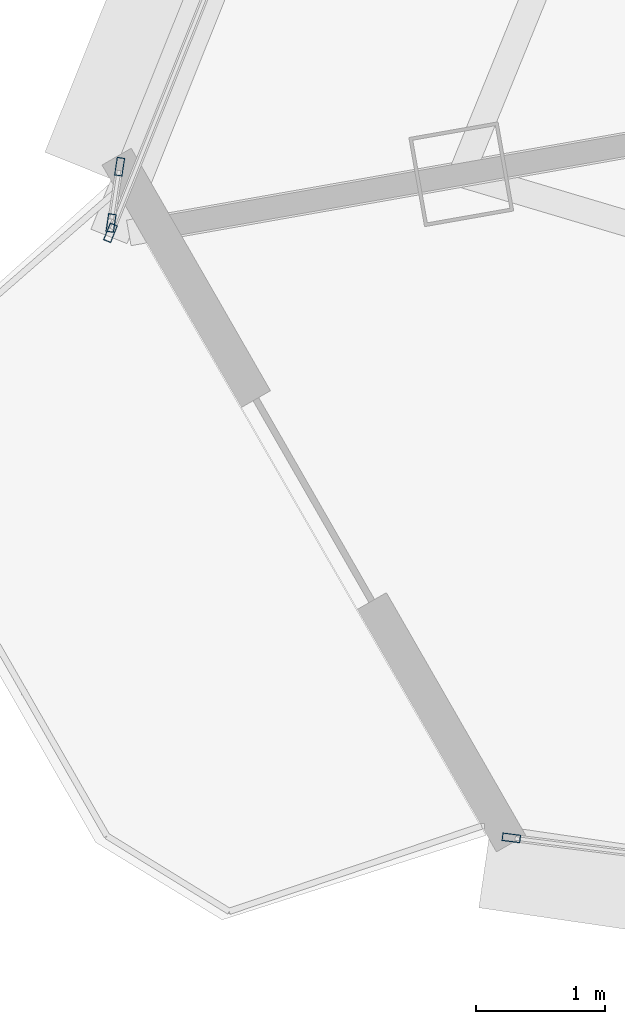
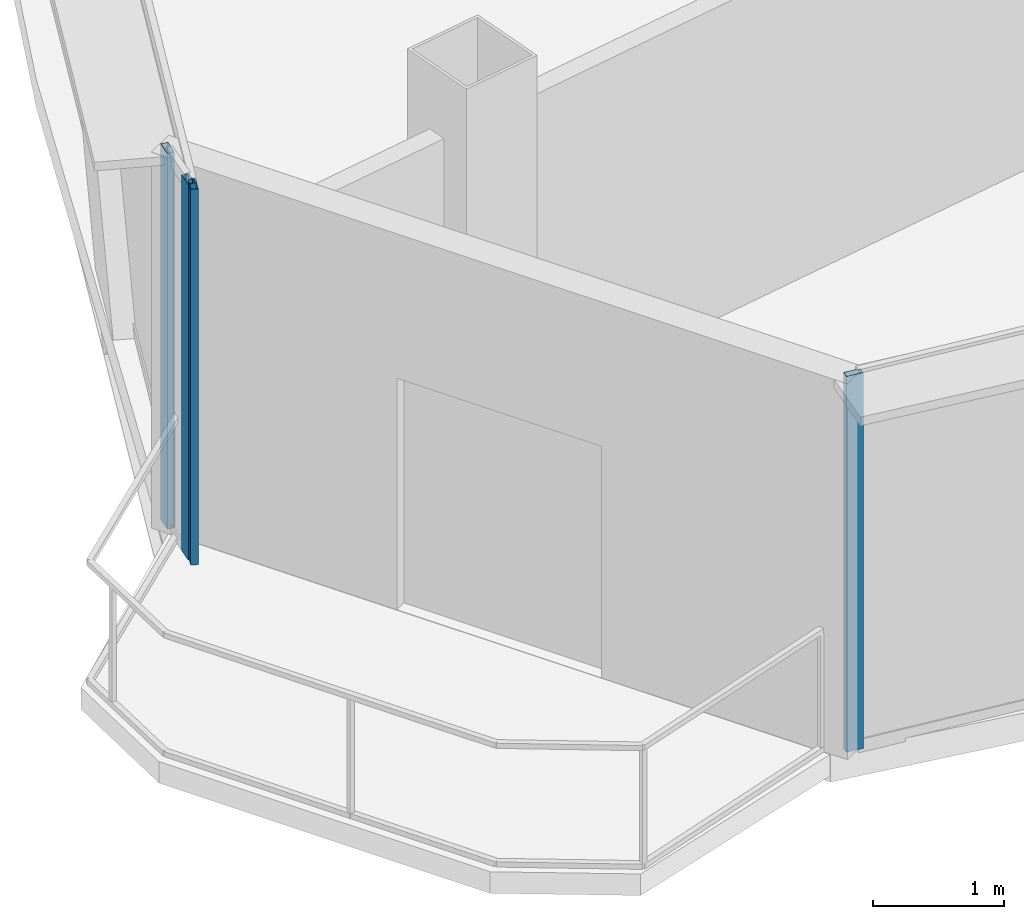
# One storey, part 2 of 30: 4 members, 3 elements without a shape of their own.
"""IFC4 building model written with IfcOpenShell, lengths in metres."""

import ifcopenshell
import ifcopenshell.guid

model = None  # the IFC model being written
_history = None  # IfcOwnerHistory: only IFC2X3 demands one
_inside = {}  # id of a spatial element -> (the spatial element, [elements in it])
_under = {}  # id of a project, library or spatial element -> (it, [spatial elements below it])
_declared = {}  # id of a project -> (the project, [libraries it declares])
_typed = {}  # id of a type object -> (the type object, [elements of that type])
_made_of = {}  # id of a material, layer set ... -> (it, [elements and type objects made of it])


def new_model(schema):
    """Start an empty IFC model of exactly this schema.

    Asked for "IFC4X3", IfcOpenShell would pick the latest addendum, in which some entities
    have other attributes; the version numbers below select the first issue.
    IFC2X3 requires an IfcOwnerHistory on every rooted entity: one is made here for all.
    """
    global model, _history
    if schema == "IFC4X3":
        model = ifcopenshell.file(schema_version=(4, 3, 0, 0))
    else:
        model = ifcopenshell.file(schema=schema)
    _inside.clear()
    _under.clear()
    _declared.clear()
    _typed.clear()
    _made_of.clear()
    _history = None
    if model.schema == "IFC2X3":
        org = make("IfcOrganization", Name="unknown")
        user = make(
            "IfcPersonAndOrganization",
            ThePerson=make("IfcPerson", FamilyName="unknown"),
            TheOrganization=org,
        )
        app = make(
            "IfcApplication",
            ApplicationDeveloper=org,
            Version="unknown",
            ApplicationFullName="unknown",
            ApplicationIdentifier="unknown",
        )
        _history = make(
            "IfcOwnerHistory",
            OwningUser=user,
            OwningApplication=app,
            ChangeAction="ADDED",
            CreationDate=0,
        )
    return model


def make(cls, **values):
    """One entity of the class cls with the attributes given. An attribute that is None is left unset."""
    return model.create_entity(
        cls, **{name: value for name, value in values.items() if value is not None}
    )


def rooted(cls, **values):
    """An entity with a GlobalId (a new one), such as an element, a storey or a relation."""
    return make(cls, GlobalId=ifcopenshell.guid.new(), OwnerHistory=_history, **values)


def si_unit(unit_type, name, prefix=None):
    """IfcSIUnit, for example si_unit("LENGTHUNIT", "METRE", prefix="MILLI")."""
    return make("IfcSIUnit", UnitType=unit_type, Prefix=prefix, Name=name)


def assignment(units):
    """IfcUnitAssignment: the units of a project."""
    return None if units is None else make("IfcUnitAssignment", Units=units)


def point(xyz):
    """IfcCartesianPoint."""
    return None if xyz is None else make("IfcCartesianPoint", Coordinates=xyz)


def direction(xyz):
    """IfcDirection."""
    return None if xyz is None else make("IfcDirection", DirectionRatios=xyz)


def frame(location, z_axis=None, x_axis=None):
    """IfcAxis2Placement3D, a coordinate frame: its origin and axes. An axis left out is left unset."""
    return make(
        "IfcAxis2Placement3D",
        Location=point(location),
        Axis=direction(z_axis),
        RefDirection=direction(x_axis),
    )


def frame_2d(location, x_axis=None):
    """IfcAxis2Placement2D, a coordinate frame in the plane: its origin and x axis."""
    return make(
        "IfcAxis2Placement2D", Location=point(location), RefDirection=direction(x_axis)
    )


def origin():
    """The frame at (0, 0, 0) with its axes left unset."""
    return frame((0.0, 0.0, 0.0))


def origin_2d():
    """The frame at (0, 0) in the plane with its x axis left unset."""
    return frame_2d((0.0, 0.0))


def place(relative_to, where):
    """IfcLocalPlacement: puts the frame where relative to a parent placement (None: the world)."""
    return make(
        "IfcLocalPlacement", PlacementRelTo=relative_to, RelativePlacement=where
    )


def context(
    kind, dimensions, precision=None, world=None, true_north=None, identifier=None
):
    """IfcGeometricRepresentationContext, for example the 3D "Model" context."""
    return make(
        "IfcGeometricRepresentationContext",
        ContextIdentifier=identifier,
        ContextType=kind,
        CoordinateSpaceDimension=dimensions,
        Precision=precision,
        WorldCoordinateSystem=world,
        TrueNorth=true_north,
    )


def subcontext(parent, identifier, kind, view, scale=None):
    """IfcGeometricRepresentationSubContext, for example "Body" below "Model"."""
    return make(
        "IfcGeometricRepresentationSubContext",
        ContextIdentifier=identifier,
        ContextType=kind,
        ParentContext=parent,
        TargetScale=scale,
        TargetView=view,
    )


def project(units=None, contexts=None):
    """IfcProject with its units and contexts."""
    return rooted(
        "IfcProject",
        Name="project",
        RepresentationContexts=contexts,
        UnitsInContext=assignment(units),
    )


def spatial(cls, under=None, at=None, **own):
    """A site, building, storey or space (cls), placed at a placement, below another one or the project."""
    s = rooted(cls, ObjectPlacement=at, **own)
    if under is not None:
        _under.setdefault(under.id(), (under, []))[1].append(s)
    return s


def profile(cls, at=None, kind="AREA", **sizes):
    """A parametric profile (cls). Its sizes go by their IFC names, for example OverallWidth=200.0."""
    return make(cls, ProfileType=kind, Position=at, **sizes)


def hollow_rectangle(**sizes):
    """IfcRectangleHollowProfileDef."""
    return profile("IfcRectangleHollowProfileDef", **sizes)


def extrude(swept, where, along, depth):
    """IfcExtrudedAreaSolid: the profile swept, set in the frame where, extruded along a direction by depth."""
    return make(
        "IfcExtrudedAreaSolid",
        SweptArea=swept,
        Position=where,
        ExtrudedDirection=direction(along),
        Depth=depth,
    )


def shape(context_of_items, identifier, shape_type, items):
    """IfcShapeRepresentation: the items that make up one representation, for example the "Body"."""
    return make(
        "IfcShapeRepresentation",
        ContextOfItems=context_of_items,
        RepresentationIdentifier=identifier,
        RepresentationType=shape_type,
        Items=items,
    )


def source(mapping_origin, context_of_items, identifier, shape_type, items):
    """IfcRepresentationMap: a shape defined once, which mapped items show again and again."""
    return make(
        "IfcRepresentationMap",
        MappingOrigin=mapping_origin,
        MappedRepresentation=shape(context_of_items, identifier, shape_type, items),
    )


def transform(
    local_origin,
    x_axis=None,
    y_axis=None,
    z_axis=None,
    scale=None,
    scale2=None,
    scale3=None,
    uniform=True,
):
    """IfcCartesianTransformationOperator3D, or its non-uniform kind. x_axis, y_axis, z_axis: its Axis1, 2, 3."""
    if uniform:
        return make(
            "IfcCartesianTransformationOperator3D",
            Axis1=direction(x_axis),
            Axis2=direction(y_axis),
            LocalOrigin=point(local_origin),
            Scale=scale,
            Axis3=direction(z_axis),
        )
    return make(
        "IfcCartesianTransformationOperator3DnonUniform",
        Axis1=direction(x_axis),
        Axis2=direction(y_axis),
        LocalOrigin=point(local_origin),
        Scale=scale,
        Axis3=direction(z_axis),
        Scale2=scale2,
        Scale3=scale3,
    )


def mapped(mapping_source, mapping_target):
    """IfcMappedItem: shows the shape of a source again, moved by a transform."""
    return make(
        "IfcMappedItem", MappingSource=mapping_source, MappingTarget=mapping_target
    )


def material(Name=None, Category=None):
    """IfcMaterial."""
    return make("IfcMaterial", Name=Name, Category=Category)


def layer(
    of_material, thickness, ventilated=None, Name=None, Category=None, Priority=None
):
    """IfcMaterialLayer: one layer of a wall or slab, of a material (None: an air gap)."""
    return make(
        "IfcMaterialLayer",
        Material=of_material,
        LayerThickness=thickness,
        IsVentilated=ventilated,
        Name=Name,
        Category=Category,
        Priority=Priority,
    )


def layer_set(layers, Name=None):
    """IfcMaterialLayerSet."""
    return make("IfcMaterialLayerSet", MaterialLayers=layers, LayerSetName=Name)


def material_profile(
    of_material, cross_section, Name=None, Category=None, Priority=None
):
    """IfcMaterialProfile: a cross section and its material."""
    return make(
        "IfcMaterialProfile",
        Name=Name,
        Material=of_material,
        Profile=cross_section,
        Priority=Priority,
        Category=Category,
    )


def profile_set(profiles, Name=None, composite=None):
    """IfcMaterialProfileSet."""
    return make(
        "IfcMaterialProfileSet",
        Name=Name,
        MaterialProfiles=profiles,
        CompositeProfile=composite,
    )


def made_of(thing, what):
    """Note that an element or type object is made of a material, layer set ...; save() writes the relation."""
    if what is not None:
        _made_of.setdefault(what.id(), (what, []))[1].append(thing)
    return thing


def type_object(cls, material=None, **own):
    """A type object (cls), such as IfcWallType, which elements share."""
    return made_of(rooted(cls, **own), material)


def element(
    cls,
    number,
    at=None,
    inside=None,
    cuts=None,
    type_object=None,
    material=None,
    context=None,
    identifier="Body",
    shape_type=None,
    held_by="IfcProductDefinitionShape",
    body=None,
    shapes=None,
    **own,
):
    """One element of the class cls, such as IfcWall. Its Tag is "e" and its number.

    at: its placement. inside: the storey or other place that contains it. cuts: it is an
    opening in that element (IfcRelVoidsElement). A single representation is given by context,
    identifier, shape_type and body (its items); several are given by shapes. held_by: the class
    of the entity that holds the representations. save() writes the other relations.
    """
    e = rooted(cls, Tag="e%d" % number, ObjectPlacement=at, **own)
    if body is not None:
        shapes = [shape(context, identifier, shape_type, body)]
    if shapes is not None:
        e.Representation = make(held_by, Representations=shapes)
    if inside is not None:
        _inside.setdefault(inside.id(), (inside, []))[1].append(e)
    if cuts is not None:
        rooted(
            "IfcRelVoidsElement", RelatingBuildingElement=cuts, RelatedOpeningElement=e
        )
    if type_object is not None:
        _typed.setdefault(type_object.id(), (type_object, []))[1].append(e)
    return made_of(e, material)


def aggregate(whole, parts):
    """IfcRelAggregates: a whole, such as a stair, and the parts it consists of."""
    return rooted("IfcRelAggregates", RelatingObject=whole, RelatedObjects=parts)


def save(model, path):
    """Write the relations noted so far, then the file.

    IfcRelAggregates (storeys below a building ...), IfcRelContainedInSpatialStructure (elements
    in a storey), IfcRelDefinesByType, IfcRelAssociatesMaterial and IfcRelDeclares: one each for
    every whole, place, type object, material and project.
    """
    for whole, parts in _under.values():
        aggregate(whole, parts)
    for where, things in _inside.values():
        rooted(
            "IfcRelContainedInSpatialStructure",
            RelatedElements=things,
            RelatingStructure=where,
        )
    for kind, things in _typed.values():
        rooted("IfcRelDefinesByType", RelatedObjects=things, RelatingType=kind)
    for what, things in _made_of.values():
        rooted("IfcRelAssociatesMaterial", RelatedObjects=things, RelatingMaterial=what)
    for by, libraries in _declared.values():
        rooted("IfcRelDeclares", RelatingContext=by, RelatedDefinitions=libraries)
    model.write(path)


model = new_model("IFC4")

# Units and contexts
model_context = context("Model", 3, precision=1e-05, world=origin(), true_north=direction((0.0, 1.0)))
body_context = subcontext(model_context, "Body", "Model", "MODEL_VIEW")
ifc_project = project(units=[si_unit("LENGTHUNIT", "METRE"), si_unit("AREAUNIT", "SQUARE_METRE"), si_unit("VOLUMEUNIT", "CUBIC_METRE"), si_unit("PLANEANGLEUNIT", "RADIAN"), si_unit("MASSUNIT", "GRAM", prefix="KILO"), si_unit("THERMODYNAMICTEMPERATUREUNIT", "KELVIN"), si_unit("POWERUNIT", "WATT")], contexts=[model_context])

# Site, building, storey
site_placement = place(None, origin())
site = spatial("IfcSite", under=ifc_project, at=site_placement, CompositionType="ELEMENT")
building_placement = place(site_placement, origin())
building = spatial("IfcBuilding", under=site, at=building_placement, Name="Yunzhuo Pagoda Commons", CompositionType="ELEMENT")
storey_placement = place(building_placement, frame((0.0, 0.0, 355.510009765625)))
storey = spatial("IfcBuildingStorey", under=building, at=storey_placement, Name="L89", CompositionType="ELEMENT", Elevation=355.510009765625)

# Curtain wall, member
ifc_material = material(Name="Anodized aluminium 6063-T6", Category="aluminium")
ifc_layer = layer(ifc_material, 0.139892578125)
ifc_layer_set = layer_set([ifc_layer], Name="Anodized aluminium 6063-T6")
curtain_wall_type = type_object("IfcCurtainWallType", Name="CW-HI High-Zone Ribbon Curtain Wall", PredefinedType="NOTDEFINED", material=ifc_layer_set)
curtain_wall_1_placement = place(storey_placement, origin())
curtain_wall_1 = element("IfcCurtainWall", 1, at=curtain_wall_1_placement, inside=storey, type_object=curtain_wall_type, Name="L89 curtain wall CW-L89-F1B1", PredefinedType="NOTDEFINED")
ifc_material_profile = material_profile(ifc_material, hollow_rectangle(XDim=0.06005859375, YDim=0.139892578125, WallThickness=0.00341796875, at=origin_2d()), Name="Anodized aluminium 6063-T6")
ifc_profile_set = profile_set([ifc_material_profile], Name="Anodized aluminium 6063-T6")
member_type = type_object("IfcMemberType", Name="CW-HI-M Mullion RHS 140x60x3.5", PredefinedType="MULLION", material=ifc_profile_set)
shared_shape = source(origin(), body_context, "Body", "SweptSolid", [
    extrude(hollow_rectangle(XDim=0.06005859375, YDim=0.139892578125, WallThickness=0.00341796875, at=origin_2d()), origin(), (0.0, 0.0, 1.0), 3.489990234375),
])
member_1_placement = place(storey_placement, frame((23.91650390625, 24.255615234375, 0.0), z_axis=(0.0, 0.0, 1.0), x_axis=(0.126570661327, 0.991957593696, 0.0)))
member_1 = element("IfcMember", 2, at=member_1_placement, type_object=member_type, Name="CW mullion 1", PredefinedType="MULLION", context=body_context, shape_type="MappedRepresentation", body=[
    mapped(shared_shape, transform((0.0, 0.0, 0.0), scale=1.0)),
])
aggregate(curtain_wall_1, [member_1])

curtain_wall_2_placement = place(storey_placement, origin())
curtain_wall_2 = element("IfcCurtainWall", 3, at=curtain_wall_2_placement, inside=storey, type_object=curtain_wall_type, Name="L89 curtain wall CW-L89-F3B4", PredefinedType="NOTDEFINED")
member_2_placement = place(storey_placement, frame((20.817626953125, 28.932861328125, 0.0), z_axis=(0.0, 0.0, 1.0), x_axis=(0.92803921175, -0.372482511608, 0.0)))
member_2 = element("IfcMember", 4, at=member_2_placement, type_object=member_type, Name="CW mullion 2", PredefinedType="MULLION", context=body_context, shape_type="MappedRepresentation", body=[
    mapped(shared_shape, transform((0.0, 0.0, 0.0), scale=1.0)),
])
aggregate(curtain_wall_2, [member_2])

# Curtain wall, members
curtain_wall_3_placement = place(storey_placement, origin())
curtain_wall_3 = element("IfcCurtainWall", 5, at=curtain_wall_3_placement, inside=storey, type_object=curtain_wall_type, Name="L89 curtain wall CW-L89-F3B5", PredefinedType="NOTDEFINED")
member_3_placement = place(storey_placement, frame((20.822265625, 29.0087890625, 0.0), z_axis=(0.0, 0.0, 1.0), x_axis=(-0.988629179637, 0.150374017607, 0.0)))
member_3 = element("IfcMember", 6, at=member_3_placement, type_object=member_type, Name="CW mullion 1", PredefinedType="MULLION", context=body_context, shape_type="MappedRepresentation", body=[
    mapped(shared_shape, transform((0.0, 0.0, 0.0), scale=1.0)),
])
member_4_placement = place(storey_placement, frame((20.888427734375, 29.44384765625, 0.0), z_axis=(0.0, 0.0, 1.0), x_axis=(-0.988629179637, 0.150374017607, 0.0)))
member_4 = element("IfcMember", 7, at=member_4_placement, type_object=member_type, Name="CW mullion 2", PredefinedType="MULLION", context=body_context, shape_type="MappedRepresentation", body=[
    mapped(shared_shape, transform((0.0, 0.0, 0.0), scale=1.0)),
])
aggregate(curtain_wall_3, [member_3, member_4])

save(model, "model.ifc")
